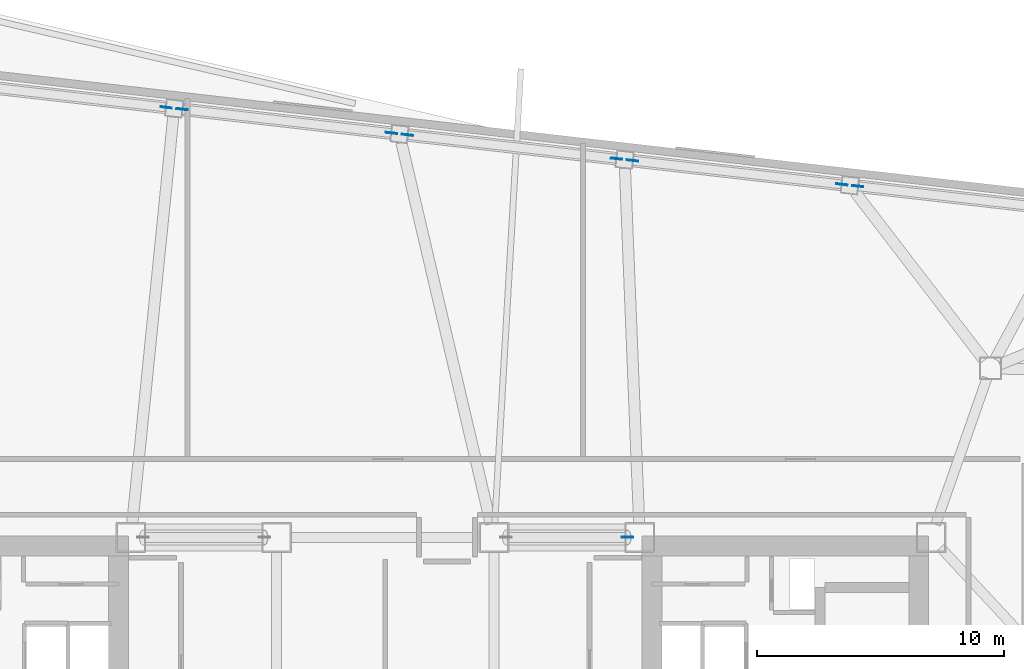
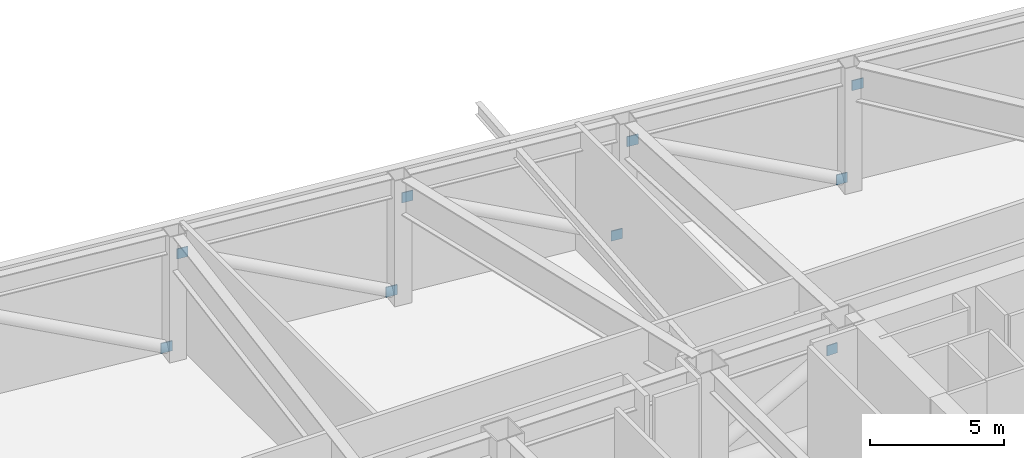
# One storey, part 11 of 14: 9 discrete accessories.
"""IFC4 building model written with IfcOpenShell, lengths in metres."""

from ifc_helpers import new_model, si_unit, direction, frame, origin, origin_2d, place, context, subcontext, project, spatial, rectangle, extrude, material, type_object, element, save


model = new_model("IFC4")

# Units and contexts
model_context = context("Model", 3, precision=1e-05, world=origin(), true_north=direction((0.0, 1.0)))
body_context = subcontext(model_context, "Body", "Model", "MODEL_VIEW")
ifc_project = project(units=[si_unit("LENGTHUNIT", "METRE"), si_unit("AREAUNIT", "SQUARE_METRE"), si_unit("VOLUMEUNIT", "CUBIC_METRE"), si_unit("PLANEANGLEUNIT", "RADIAN"), si_unit("MASSUNIT", "GRAM", prefix="KILO")], contexts=[model_context])

# Site, building, storey
site_placement = place(None, origin())
site = spatial("IfcSite", under=ifc_project, at=site_placement, CompositionType="ELEMENT")
building_placement = place(site_placement, origin())
building = spatial("IfcBuilding", under=site, at=building_placement, Name="Tavrogorsk Clinical Tower", CompositionType="ELEMENT")
storey_placement = place(building_placement, frame((0.0, 0.0, 83.39990234375)))
storey = spatial("IfcBuildingStorey", under=building, at=storey_placement, Name="L18", CompositionType="ELEMENT", Elevation=83.39990234375)

# Discrete accessories
ifc_material = material(Name="Structural steel S440", Category="steel")
discrete_accessory_type = type_object("IfcDiscreteAccessoryType", Name="GussetPlateBracket_25", PredefinedType="BRACKET", material=ifc_material)
for number, where, z_axis, x_axis, name in (
    (1, (19.1279296875, 20.570068359375, 4.404296875), (0.0, 0.0, 1.0), (-0.993571855677, 0.113203213768, 0.0), "L18 Brace Gusset Plate EXOBELT-L18-15-B"),
    (2, (18.487548828125, 20.64306640625, 0.276123046875), (0.0, 0.0, 1.0), (-0.993571855677, 0.113203213768, 0.0), "L18 Brace Gusset Plate EXOBELT-L18-16-A"),
    (3, (10.009765625, 21.609130859375, 4.404296875), (0.0, 0.0, 1.0), (-0.993571855677, 0.113203213768, 0.0), "L18 Brace Gusset Plate EXOBELT-L18-16-B"),
    (4, (9.369384765625, 21.681884765625, 0.276123046875), (0.0, 0.0, 1.0), (-0.993571855677, 0.113203213768, 0.0), "L18 Brace Gusset Plate EXOBELT-L18-17-A"),
    (5, (0.8916015625, 22.64794921875, 4.404296875), (0.0, 0.0, 1.0), (-0.993571855677, 0.113203213768, 0.0), "L18 Brace Gusset Plate EXOBELT-L18-17-B"),
    (6, (0.251220703125, 22.720947265625, 0.276123046875), (0.0, 0.0, 1.0), (-0.993571855677, 0.113203213768, 0.0), "L18 Brace Gusset Plate EXOBELT-L18-18-A"),
    (7, (-8.2265625, 23.686767578125, 4.404296875), (0.0, 0.0, 1.0), (-0.993571855677, 0.113203213768, 0.0), "L18 Brace Gusset Plate EXOBELT-L18-18-B"),
    (8, (-8.866943359375, 23.759765625, 0.276123046875), (0.0, 0.0, 1.0), (-0.993571855677, 0.113203213768, 0.0), "L18 Brace Gusset Plate EXOBELT-L18-19-A"),
    (9, (9.80810546875, 6.35009765625, 4.1923828125), (0.0, 0.0, 1.0), (1.0, 0.0, 0.0), "L18 Brace Gusset Plate ORDG-L18-04-B"),
):
    element("IfcDiscreteAccessory", number, at=place(storey_placement, frame(where, z_axis=z_axis, x_axis=x_axis)), inside=storey, type_object=discrete_accessory_type, Name=name, PredefinedType="BRACKET", context=body_context, shape_type="SweptSolid", body=[
        extrude(rectangle(XDim=0.4599609375, YDim=0.0400390625, at=origin_2d()), origin(), (0.0, 0.0, 1.0), 0.4599609375),
    ])

save(model, "model.ifc")
